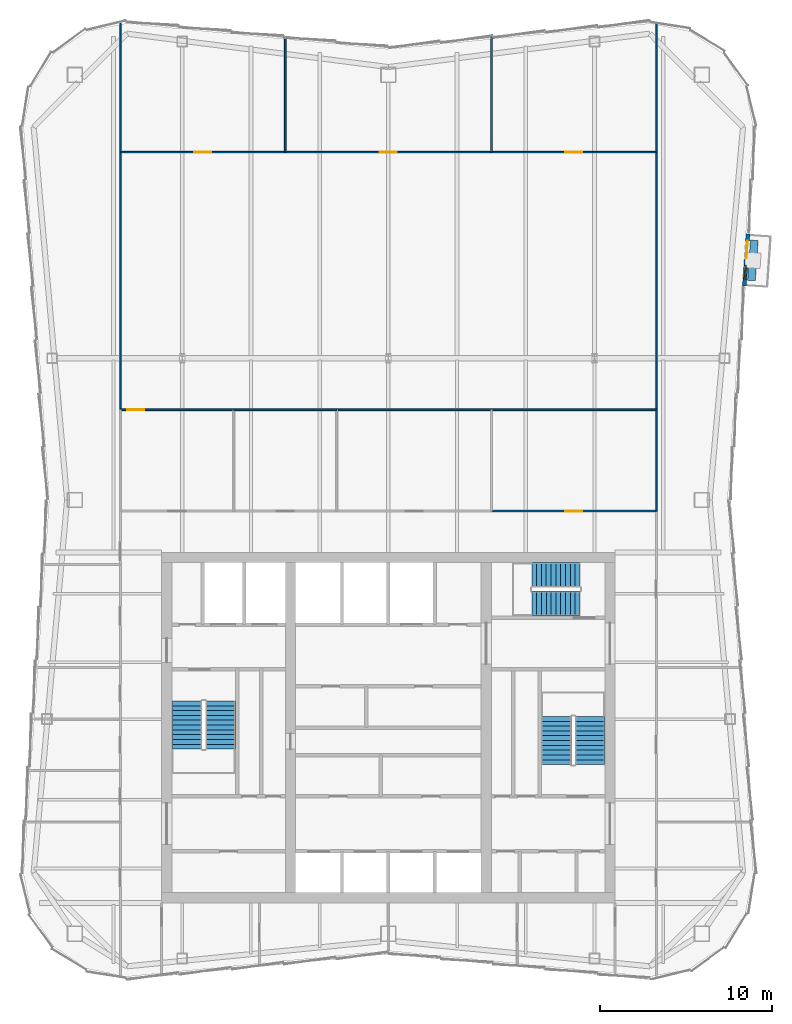
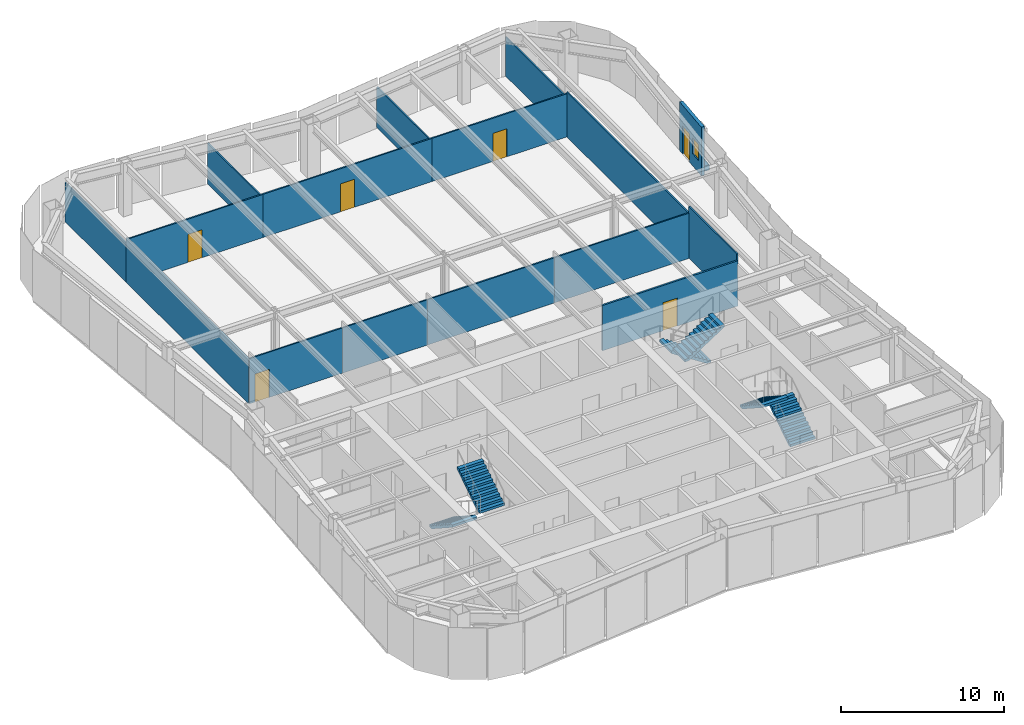
# One storey, part 8 of 10: 17 walls, 6 doors, 6 stair flights, 1 window, 7 openings, 3 elements without a shape of their own.
"""IFC4 building model written with IfcOpenShell, lengths in metres."""

from ifc_helpers import new_model, si_unit, direction, frame, frame_2d, origin, place, context, subcontext, project, spatial, polyline, rectangle, outline, extrude, material, layer, layer_set, type_object, element, fill, aggregate, save


model = new_model("IFC4")

# Units and contexts
model_context = context("Model", 3, precision=1e-05, world=origin(), true_north=direction((0.0, 1.0)))
body_context = subcontext(model_context, "Body", "Model", "MODEL_VIEW")
ifc_project = project(units=[si_unit("LENGTHUNIT", "METRE"), si_unit("AREAUNIT", "SQUARE_METRE"), si_unit("VOLUMEUNIT", "CUBIC_METRE"), si_unit("PLANEANGLEUNIT", "RADIAN"), si_unit("MASSUNIT", "GRAM", prefix="KILO")], contexts=[model_context])

# Site, building, storey
site_placement = place(None, origin())
site = spatial("IfcSite", under=ifc_project, at=site_placement, CompositionType="ELEMENT")
building_placement = place(site_placement, origin())
building = spatial("IfcBuilding", under=site, at=building_placement, Name="Verdant Reach Tower", CompositionType="ELEMENT")
storey_placement = place(building_placement, frame((0.0, 0.0, 322.0)))
storey = spatial("IfcBuildingStorey", under=building, at=storey_placement, Name="L74", CompositionType="ELEMENT", Elevation=322.0)

# Wall, openings, door, window
ifc_material_1 = material(Name="Insulated bronze aluminium panel wall", Category="aluminium")
ifc_layer_1 = layer(ifc_material_1, 0.219970703125)
ifc_layer_set_1 = layer_set([ifc_layer_1], Name="EN-INFILL WALL")
wall_type_1 = type_object("IfcWallType", Name="EN-INFILL WALL", PredefinedType="SOLIDWALL", material=ifc_layer_set_1)
wall_1_placement = place(storey_placement, frame((20.724365234375, 53.70556640625, 0.0), z_axis=(0.0, 0.0, 1.0), x_axis=(0.068802091615, 0.997630328423, 0.0)))
wall_1 = element("IfcWall", 1, at=wall_1_placement, inside=storey, type_object=wall_type_1, Name="External infill wall, balcony bay 1, L74", PredefinedType="SOLIDWALL", context=body_context, shape_type="SweptSolid", body=[
    extrude(rectangle(XDim=3.044677734375, YDim=0.22998046875, at=frame_2d((1.5224609375, 0.0))), origin(), (0.0, 0.0, 1.0), 3.64990234375),
])
opening_1_placement = place(wall_1_placement, frame((1.629638671875, 0.0, 0.0)))
opening_1 = element("IfcOpeningElement", 2, at=opening_1_placement, cuts=wall_1, Name="Opening BD1", PredefinedType="OPENING", context=body_context, shape_type="SweptSolid", body=[
    extrude(rectangle(XDim=1.0, YDim=2.10009765625, at=frame_2d((0.5, 1.050048828125))), frame((0.0, 0.125, 0.0), z_axis=(0.0, -1.0, 0.0), x_axis=(1.0, 0.0, 0.0)), (0.0, 0.0, 1.0), 0.25),
])
opening_2_placement = place(wall_1_placement, frame((0.414794921875, 0.0, 0.89990234375)))
opening_2 = element("IfcOpeningElement", 3, at=opening_2_placement, cuts=wall_1, Name="Opening BW1", PredefinedType="OPENING", context=body_context, shape_type="SweptSolid", body=[
    extrude(rectangle(XDim=0.800048828125, YDim=1.199951171875, at=frame_2d((0.39990234375, 0.60009765625))), frame((0.0, 0.125, 0.0), z_axis=(0.0, -1.0, 0.0), x_axis=(1.0, 0.0, 0.0)), (0.0, 0.0, 1.0), 0.25),
])
ifc_material_2 = material(Name="Aluminium framed glazed door", Category="aluminium")
door_type_1 = type_object("IfcDoorType", Name="EN-DOOR BALCONY", OperationType="NOTDEFINED", PredefinedType="DOOR", material=ifc_material_2)
door_1_placement = place(opening_1_placement, origin())
door_1 = element("IfcDoor", 4, at=door_1_placement, inside=storey, type_object=door_type_1, Name="Balcony door 1, L74", OperationType="SINGLE_SWING_RIGHT", OverallHeight=2.10009765625, OverallWidth=1.0, PredefinedType="DOOR", context=body_context, shape_type="SweptSolid", body=[
    extrude(rectangle(XDim=1.0, YDim=2.10009765625, at=frame_2d((0.5, 1.050048828125))), frame((0.0, 0.02490234375, 0.0), z_axis=(0.0, -1.0, 0.0), x_axis=(1.0, 0.0, 0.0)), (0.0, 0.0, 1.0), 0.050048828125),
])
fill(opening_1, door_1)
ifc_material_3 = material(Name="Aluminium framed glazing", Category="aluminium")
window_type = type_object("IfcWindowType", Name="EN-WINDOW BALCONY", PartitioningType="SINGLE_PANEL", PredefinedType="WINDOW", material=ifc_material_3)
window_placement = place(opening_2_placement, origin())
window = element("IfcWindow", 5, at=window_placement, inside=storey, type_object=window_type, Name="Balcony window 1, L74", OverallHeight=1.199951171875, OverallWidth=0.800048828125, PartitioningType="SINGLE_PANEL", PredefinedType="WINDOW", context=body_context, shape_type="SweptSolid", body=[
    extrude(rectangle(XDim=0.800048828125, YDim=1.199951171875, at=frame_2d((0.39990234375, 0.60009765625))), frame((0.0, 0.030029296875, 0.0), z_axis=(0.0, -1.0, 0.0), x_axis=(1.0, 0.0, 0.0)), (0.0, 0.0, 1.0), 0.06005859375),
])
fill(opening_2, window)

# Walls
ifc_material_4 = material(Name="Precast concrete C30/37", Category="concrete")
ifc_layer_2 = layer(ifc_material_4, 0.449951171875)
ifc_layer_set_2 = layer_set([ifc_layer_2], Name="EN-PLANTER")
wall_type_2 = type_object("IfcWallType", Name="EN-PLANTER", PredefinedType="USERDEFINED", material=ifc_layer_set_2)
wall_2_placement = place(storey_placement, frame((21.137451171875, 54.02783203125, 0.0), z_axis=(0.0, 0.0, 1.0), x_axis=(0.068827106414, 0.997628602949, 0.0)))
element("IfcWall", 6, at=wall_2_placement, inside=storey, type_object=wall_type_2, Name="Balcony planter 1, L74", ObjectType="PLANTER", PredefinedType="USERDEFINED", context=body_context, shape_type="SweptSolid", body=[
    extrude(rectangle(XDim=2.3447265625, YDim=0.449951171875, at=frame_2d((1.17236328125, 0.0))), origin(), (0.0, 0.0, 1.0), 0.39990234375),
])
ifc_material_5 = material(Name="Gypsum board on steel studs", Category="steel")
ifc_layer_3 = layer(ifc_material_5, 0.10009765625)
ifc_layer_set_3 = layer_set([ifc_layer_3], Name="FL-W1 Partition 100")
wall_type_3 = type_object("IfcWallType", Name="FL-W1 Partition 100", PredefinedType="PARTITIONING", material=ifc_layer_set_3)
wall_3_placement = place(storey_placement, frame((-15.60009765625, 46.5, 0.0), z_axis=(0.0, 0.0, 1.0), x_axis=(0.0, 1.0, 0.0)))
element("IfcWall", 7, at=wall_3_placement, inside=storey, type_object=wall_type_3, Name="Partition 74.22", PredefinedType="PARTITIONING", context=body_context, shape_type="SweptSolid", body=[
    extrude(rectangle(XDim=15.0, YDim=0.10009765625, at=frame_2d((7.5, 0.0))), origin(), (0.0, 0.0, 1.0), 3.35009765625),
])
wall_4_placement = place(storey_placement, frame((-15.60009765625, 61.5, 0.0), z_axis=(0.0, 0.0, 1.0), x_axis=(0.0, 1.0, 0.0)))
element("IfcWall", 8, at=wall_4_placement, inside=storey, type_object=wall_type_3, Name="Partition 74.23", PredefinedType="PARTITIONING", context=body_context, shape_type="SweptSolid", body=[
    extrude(rectangle(XDim=7.510498046875, YDim=0.10009765625, at=frame_2d((3.75537109375, 0.0))), origin(), (0.0, 0.0, 1.0), 2.929931640625),
])
wall_5_placement = place(storey_placement, frame((15.60009765625, 46.5, 0.0), z_axis=(0.0, 0.0, 1.0), x_axis=(0.0, -1.0, 0.0)))
element("IfcWall", 9, at=wall_5_placement, inside=storey, type_object=wall_type_3, Name="Partition 74.26", PredefinedType="PARTITIONING", context=body_context, shape_type="SweptSolid", body=[
    extrude(rectangle(XDim=5.89990234375, YDim=0.10009765625, at=frame_2d((2.949951171875, 0.0))), origin(), (0.0, 0.0, 1.0), 3.8701171875),
])
wall_6_placement = place(storey_placement, frame((15.60009765625, 61.5, 0.0), z_axis=(0.0, 0.0, 1.0), x_axis=(0.0, -1.0, 0.0)))
element("IfcWall", 10, at=wall_6_placement, inside=storey, type_object=wall_type_3, Name="Partition 74.27", PredefinedType="PARTITIONING", context=body_context, shape_type="SweptSolid", body=[
    extrude(rectangle(XDim=15.0, YDim=0.10009765625, at=frame_2d((7.5, 0.0))), origin(), (0.0, 0.0, 1.0), 3.35009765625),
])
wall_7_placement = place(storey_placement, frame((15.60009765625, 69.010498046875, 0.0), z_axis=(0.0, 0.0, 1.0), x_axis=(0.0, -1.0, 0.0)))
element("IfcWall", 11, at=wall_7_placement, inside=storey, type_object=wall_type_3, Name="Partition 74.28", PredefinedType="PARTITIONING", context=body_context, shape_type="SweptSolid", body=[
    extrude(rectangle(XDim=7.510498046875, YDim=0.10009765625, at=frame_2d((3.75537109375, 0.0))), origin(), (0.0, 0.0, 1.0), 2.929931640625),
])

# Wall, opening, door
wall_8_placement = place(storey_placement, frame((-15.60009765625, 46.5, 0.0), z_axis=(0.0, 0.0, 1.0), x_axis=(1.0, 0.0, 0.0)))
wall_8 = element("IfcWall", 12, at=wall_8_placement, inside=storey, type_object=wall_type_3, Name="Partition 74.33", PredefinedType="PARTITIONING", context=body_context, shape_type="SweptSolid", body=[
    extrude(rectangle(XDim=6.60400390625, YDim=0.10009765625, at=frame_2d((3.302001953125, 0.0))), origin(), (0.0, 0.0, 1.0), 3.389892578125),
])
opening_3_placement = place(wall_8_placement, frame((0.402099609375, 0.0, 0.0)))
opening_3 = element("IfcOpeningElement", 13, at=opening_3_placement, cuts=wall_8, Name="Opening D3", PredefinedType="OPENING", context=body_context, shape_type="SweptSolid", body=[
    extrude(rectangle(XDim=1.0, YDim=2.10009765625, at=frame_2d((0.5, 1.050048828125))), frame((0.0, 0.06005859375, 0.0), z_axis=(0.0, -1.0, 0.0), x_axis=(1.0, 0.0, 0.0)), (0.0, 0.0, 1.0), 0.1201171875),
])
ifc_material_6 = material(Name="Painted timber door leaf", Category="wood")
door_type_2 = type_object("IfcDoorType", Name="FL-D3 Door 1000x2100", OperationType="NOTDEFINED", PredefinedType="DOOR", material=ifc_material_6)
door_2_placement = place(opening_3_placement, origin())
door_2 = element("IfcDoor", 14, at=door_2_placement, inside=storey, type_object=door_type_2, Name="Door 74-018", OperationType="SINGLE_SWING_LEFT", OverallHeight=2.10009765625, OverallWidth=1.0, PredefinedType="DOOR", context=body_context, shape_type="SweptSolid", body=[
    extrude(rectangle(XDim=1.0, YDim=2.10009765625, at=frame_2d((0.5, 1.050048828125))), frame((0.0, 0.02490234375, 0.0), z_axis=(0.0, -1.0, 0.0), x_axis=(1.0, 0.0, 0.0)), (0.0, 0.0, 1.0), 0.050048828125),
])
fill(opening_3, door_2)

# Walls
wall_9_placement = place(storey_placement, frame((-2.99609375, 46.5, 0.0), z_axis=(0.0, 0.0, 1.0), x_axis=(-1.0, 0.0, 0.0)))
element("IfcWall", 15, at=wall_9_placement, inside=storey, type_object=wall_type_3, Name="Partition 74.35", PredefinedType="PARTITIONING", context=body_context, shape_type="SweptSolid", body=[
    extrude(rectangle(XDim=6.0078125, YDim=0.10009765625, at=frame_2d((3.00390625, 0.0))), origin(), (0.0, 0.0, 1.0), 3.389892578125),
])
wall_10_placement = place(storey_placement, frame((6.00390625, 46.5, 0.0), z_axis=(0.0, 0.0, 1.0), x_axis=(-1.0, 0.0, 0.0)))
element("IfcWall", 16, at=wall_10_placement, inside=storey, type_object=wall_type_3, Name="Partition 74.37", PredefinedType="PARTITIONING", context=body_context, shape_type="SweptSolid", body=[
    extrude(rectangle(XDim=9.0078125, YDim=0.10009765625, at=frame_2d((4.50390625, 0.0))), origin(), (0.0, 0.0, 1.0), 3.389892578125),
])
wall_11_placement = place(storey_placement, frame((15.60009765625, 46.5, 0.0), z_axis=(0.0, 0.0, 1.0), x_axis=(-1.0, 0.0, 0.0)))
element("IfcWall", 17, at=wall_11_placement, inside=storey, type_object=wall_type_3, Name="Partition 74.38", PredefinedType="PARTITIONING", context=body_context, shape_type="SweptSolid", body=[
    extrude(rectangle(XDim=9.60400390625, YDim=0.10009765625, at=frame_2d((4.802001953125, 0.0))), origin(), (0.0, 0.0, 1.0), 3.389892578125),
])

# Wall, opening, door
wall_12_placement = place(storey_placement, frame((-15.60009765625, 61.5, 0.0), z_axis=(0.0, 0.0, 1.0), x_axis=(1.0, 0.0, 0.0)))
wall_12 = element("IfcWall", 18, at=wall_12_placement, inside=storey, type_object=wall_type_3, Name="Partition 74.39", PredefinedType="PARTITIONING", context=body_context, shape_type="SweptSolid", body=[
    extrude(rectangle(XDim=9.60009765625, YDim=0.10009765625, at=frame_2d((4.800048828125, 0.0))), origin(), (0.0, 0.0, 1.0), 3.239990234375),
])
opening_4_placement = place(wall_12_placement, frame((4.300048828125, 0.0, 0.0)))
opening_4 = element("IfcOpeningElement", 19, at=opening_4_placement, cuts=wall_12, Name="Opening D3", PredefinedType="OPENING", context=body_context, shape_type="SweptSolid", body=[
    extrude(rectangle(XDim=1.0, YDim=2.10009765625, at=frame_2d((0.5, 1.050048828125))), frame((0.0, 0.06005859375, 0.0), z_axis=(0.0, -1.0, 0.0), x_axis=(1.0, 0.0, 0.0)), (0.0, 0.0, 1.0), 0.1201171875),
])
door_3_placement = place(opening_4_placement, origin())
door_3 = element("IfcDoor", 20, at=door_3_placement, inside=storey, type_object=door_type_2, Name="Door 74-019", OperationType="SINGLE_SWING_LEFT", OverallHeight=2.10009765625, OverallWidth=1.0, PredefinedType="DOOR", context=body_context, shape_type="SweptSolid", body=[
    extrude(rectangle(XDim=1.0, YDim=2.10009765625, at=frame_2d((0.5, 1.050048828125))), frame((0.0, 0.02490234375, 0.0), z_axis=(0.0, -1.0, 0.0), x_axis=(1.0, 0.0, 0.0)), (0.0, 0.0, 1.0), 0.050048828125),
])
fill(opening_4, door_3)

wall_13_placement = place(storey_placement, frame((-6.0, 61.5, 0.0), z_axis=(0.0, 0.0, 1.0), x_axis=(1.0, 0.0, 0.0)))
wall_13 = element("IfcWall", 21, at=wall_13_placement, inside=storey, type_object=wall_type_3, Name="Partition 74.40", PredefinedType="PARTITIONING", context=body_context, shape_type="SweptSolid", body=[
    extrude(rectangle(XDim=12.0, YDim=0.10009765625, at=frame_2d((6.0, 0.0))), origin(), (0.0, 0.0, 1.0), 3.239990234375),
])
opening_5_placement = place(wall_13_placement, frame((5.5, 0.0, 0.0)))
opening_5 = element("IfcOpeningElement", 22, at=opening_5_placement, cuts=wall_13, Name="Opening D3", PredefinedType="OPENING", context=body_context, shape_type="SweptSolid", body=[
    extrude(rectangle(XDim=1.0, YDim=2.10009765625, at=frame_2d((0.5, 1.050048828125))), frame((0.0, 0.06005859375, 0.0), z_axis=(0.0, -1.0, 0.0), x_axis=(1.0, 0.0, 0.0)), (0.0, 0.0, 1.0), 0.1201171875),
])
door_4_placement = place(opening_5_placement, origin())
door_4 = element("IfcDoor", 23, at=door_4_placement, inside=storey, type_object=door_type_2, Name="Door 74-020", OperationType="SINGLE_SWING_RIGHT", OverallHeight=2.10009765625, OverallWidth=1.0, PredefinedType="DOOR", context=body_context, shape_type="SweptSolid", body=[
    extrude(rectangle(XDim=1.0, YDim=2.10009765625, at=frame_2d((0.5, 1.050048828125))), frame((0.0, 0.02490234375, 0.0), z_axis=(0.0, -1.0, 0.0), x_axis=(1.0, 0.0, 0.0)), (0.0, 0.0, 1.0), 0.050048828125),
])
fill(opening_5, door_4)

wall_14_placement = place(storey_placement, frame((6.0, 61.5, 0.0), z_axis=(0.0, 0.0, 1.0), x_axis=(1.0, 0.0, 0.0)))
wall_14 = element("IfcWall", 24, at=wall_14_placement, inside=storey, type_object=wall_type_3, Name="Partition 74.41", PredefinedType="PARTITIONING", context=body_context, shape_type="SweptSolid", body=[
    extrude(rectangle(XDim=9.60009765625, YDim=0.10009765625, at=frame_2d((4.800048828125, 0.0))), origin(), (0.0, 0.0, 1.0), 3.239990234375),
])
opening_6_placement = place(wall_14_placement, frame((4.300048828125, 0.0, 0.0)))
opening_6 = element("IfcOpeningElement", 25, at=opening_6_placement, cuts=wall_14, Name="Opening D3", PredefinedType="OPENING", context=body_context, shape_type="SweptSolid", body=[
    extrude(rectangle(XDim=1.0, YDim=2.10009765625, at=frame_2d((0.5, 1.050048828125))), frame((0.0, 0.06005859375, 0.0), z_axis=(0.0, -1.0, 0.0), x_axis=(1.0, 0.0, 0.0)), (0.0, 0.0, 1.0), 0.1201171875),
])
door_5_placement = place(opening_6_placement, origin())
door_5 = element("IfcDoor", 26, at=door_5_placement, inside=storey, type_object=door_type_2, Name="Door 74-021", OperationType="SINGLE_SWING_LEFT", OverallHeight=2.10009765625, OverallWidth=1.0, PredefinedType="DOOR", context=body_context, shape_type="SweptSolid", body=[
    extrude(rectangle(XDim=1.0, YDim=2.10009765625, at=frame_2d((0.5, 1.050048828125))), frame((0.0, 0.02490234375, 0.0), z_axis=(0.0, -1.0, 0.0), x_axis=(1.0, 0.0, 0.0)), (0.0, 0.0, 1.0), 0.050048828125),
])
fill(opening_6, door_5)

# Walls
for number, where, z_axis, x_axis, name in (
    (27, (-6.0, 61.5, 0.0), (0.0, 0.0, 1.0), (0.0, 1.0, 0.0), "Partition 74.42"),
    (28, (6.0, 61.5, 0.0), (0.0, 0.0, 1.0), (0.0, 1.0, 0.0), "Partition 74.43"),
):
    element("IfcWall", number, at=place(storey_placement, frame(where, z_axis=z_axis, x_axis=x_axis)), inside=storey, type_object=wall_type_3, Name=name, PredefinedType="PARTITIONING", context=body_context, shape_type="SweptSolid", body=[
        extrude(rectangle(XDim=6.670166015625, YDim=0.10009765625, at=frame_2d((3.3349609375, 0.0))), origin(), (0.0, 0.0, 1.0), 3.0400390625),
    ])

# Wall, opening, door
ifc_material_7 = material(Name="Gypsum board on steel studs, fire rated", Category="steel")
ifc_layer_4 = layer(ifc_material_7, 0.125)
ifc_layer_set_4 = layer_set([ifc_layer_4], Name="FL-W2 Corridor wall 125")
wall_type_4 = type_object("IfcWallType", Name="FL-W2 Corridor wall 125", PredefinedType="PARTITIONING", material=ifc_layer_set_4)
wall_15_placement = place(storey_placement, frame((6.0, 40.60009765625, 0.0), z_axis=(0.0, 0.0, 1.0), x_axis=(1.0, 0.0, 0.0)))
wall_15 = element("IfcWall", 29, at=wall_15_placement, inside=storey, type_object=wall_type_4, Name="Partition 74.15", PredefinedType="PARTITIONING", context=body_context, shape_type="SweptSolid", body=[
    extrude(rectangle(XDim=9.60009765625, YDim=0.125, at=frame_2d((4.800048828125, 0.0))), origin(), (0.0, 0.0, 1.0), 3.389892578125),
])
opening_7_placement = place(wall_15_placement, frame((4.300048828125, 0.0, 0.0)))
opening_7 = element("IfcOpeningElement", 30, at=opening_7_placement, cuts=wall_15, Name="Opening D2", PredefinedType="OPENING", context=body_context, shape_type="SweptSolid", body=[
    extrude(rectangle(XDim=1.0, YDim=2.10009765625, at=frame_2d((0.5, 1.050048828125))), frame((0.0, 0.072509765625, 0.0), z_axis=(0.0, -1.0, 0.0), x_axis=(1.0, 0.0, 0.0)), (0.0, 0.0, 1.0), 0.14501953125),
])
ifc_material_8 = material(Name="Timber door leaf, fire rated", Category="wood")
door_type_3 = type_object("IfcDoorType", Name="FL-D2 Entrance door 1000x2100 FD30", OperationType="NOTDEFINED", PredefinedType="DOOR", material=ifc_material_8)
door_6_placement = place(opening_7_placement, origin())
door_6 = element("IfcDoor", 31, at=door_6_placement, inside=storey, type_object=door_type_3, Name="Door 74-015", OperationType="SINGLE_SWING_LEFT", OverallHeight=2.10009765625, OverallWidth=1.0, PredefinedType="DOOR", context=body_context, shape_type="SweptSolid", body=[
    extrude(rectangle(XDim=1.0, YDim=2.10009765625, at=frame_2d((0.5, 1.050048828125))), frame((0.0, 0.02490234375, 0.0), z_axis=(0.0, -1.0, 0.0), x_axis=(1.0, 0.0, 0.0)), (0.0, 0.0, 1.0), 0.050048828125),
])
fill(opening_7, door_6)

# Stair, stair flights
ifc_material_9 = material(Name="Concrete C40/50", Category="concrete")
stair_type = type_object("IfcStairType", Name="CO-STAIR", PredefinedType="HALF_TURN_STAIR", material=ifc_material_9)
stair_1_placement = place(storey_placement, origin())
stair_1 = element("IfcStair", 32, at=stair_1_placement, inside=storey, type_object=stair_type, Name="L74 Exit stair 1", PredefinedType="HALF_TURN_STAIR")
stair_flight_type = type_object("IfcStairFlightType", Name="CO-STAIR-FLIGHT", PredefinedType="STRAIGHT", material=ifc_material_9)
stair_flight_1_placement = place(storey_placement, frame((-11.72509765625, 29.550048828125, 0.0), z_axis=(0.0, 0.0, 1.0), x_axis=(0.0, -1.0, 0.0)))
stair_flight_1 = element("IfcStairFlight", 33, at=stair_flight_1_placement, type_object=stair_flight_type, Name="ST-1 flight 1", NumberOfRisers=11, NumberOfTreads=10, PredefinedType="STRAIGHT", RiserHeight=0.181818182, TreadLength=0.28, context=body_context, shape_type="SweptSolid", body=[
    extrude(outline(polyline([(0.0, 0.0), (0.0, 0.181884765625), (0.280029296875, 0.181884765625), (0.280029296875, 0.363525390625), (0.56005859375, 0.363525390625), (0.56005859375, 0.54541015625), (0.840087890625, 0.54541015625), (0.840087890625, 0.727294921875), (1.1201171875, 0.727294921875), (1.1201171875, 0.9091796875), (1.39990234375, 0.9091796875), (1.39990234375, 1.0908203125), (1.679931640625, 1.0908203125), (1.679931640625, 1.272705078125), (1.9599609375, 1.272705078125), (1.9599609375, 1.45458984375), (2.239990234375, 1.45458984375), (2.239990234375, 1.636474609375), (2.52001953125, 1.636474609375), (2.52001953125, 1.818115234375), (2.800048828125, 1.818115234375), (2.800048828125, 2.0), (2.800048828125, 1.639404296875), (0.275146484375, 0.0), (0.0, 0.0)])), frame((0.0, 0.875, 0.0), z_axis=(0.0, -1.0, 0.0), x_axis=(1.0, 0.0, 0.0)), (0.0, 0.0, 1.0), 1.75),
])
stair_flight_2_placement = place(storey_placement, frame((-9.77490234375, 26.75, 2.0), z_axis=(0.0, 0.0, 1.0), x_axis=(0.0, 1.0, 0.0)))
stair_flight_2 = element("IfcStairFlight", 34, at=stair_flight_2_placement, type_object=stair_flight_type, Name="ST-1 flight 2", NumberOfRisers=11, NumberOfTreads=10, PredefinedType="STRAIGHT", RiserHeight=0.181818182, TreadLength=0.28, context=body_context, shape_type="SweptSolid", body=[
    extrude(outline(polyline([(0.0, 0.0), (0.0, 0.181884765625), (0.280029296875, 0.181884765625), (0.280029296875, 0.363525390625), (0.56005859375, 0.363525390625), (0.56005859375, 0.54541015625), (0.840087890625, 0.54541015625), (0.840087890625, 0.727294921875), (1.1201171875, 0.727294921875), (1.1201171875, 0.9091796875), (1.39990234375, 0.9091796875), (1.39990234375, 1.0908203125), (1.679931640625, 1.0908203125), (1.679931640625, 1.272705078125), (1.9599609375, 1.272705078125), (1.9599609375, 1.45458984375), (2.239990234375, 1.45458984375), (2.239990234375, 1.636474609375), (2.52001953125, 1.636474609375), (2.52001953125, 1.818115234375), (2.800048828125, 1.818115234375), (2.800048828125, 2.0), (2.800048828125, 1.639404296875), (0.275146484375, 0.0), (0.0, 0.0)])), frame((0.0, 0.875, 0.0), z_axis=(0.0, -1.0, 0.0), x_axis=(1.0, 0.0, 0.0)), (0.0, 0.0, 1.0), 1.75),
])
aggregate(stair_1, [stair_flight_1, stair_flight_2])

stair_2_placement = place(storey_placement, origin())
stair_2 = element("IfcStair", 35, at=stair_2_placement, inside=storey, type_object=stair_type, Name="L74 Exit stair 2", PredefinedType="HALF_TURN_STAIR")
stair_flight_3_placement = place(storey_placement, frame((11.72509765625, 25.85009765625, 0.0), z_axis=(0.0, 0.0, 1.0), x_axis=(0.0, 1.0, 0.0)))
stair_flight_3 = element("IfcStairFlight", 36, at=stair_flight_3_placement, type_object=stair_flight_type, Name="ST-2 flight 1", NumberOfRisers=11, NumberOfTreads=10, PredefinedType="STRAIGHT", RiserHeight=0.181818182, TreadLength=0.28, context=body_context, shape_type="SweptSolid", body=[
    extrude(outline(polyline([(0.0, 0.0), (0.0, 0.181884765625), (0.280029296875, 0.181884765625), (0.280029296875, 0.363525390625), (0.56005859375, 0.363525390625), (0.56005859375, 0.54541015625), (0.840087890625, 0.54541015625), (0.840087890625, 0.727294921875), (1.1201171875, 0.727294921875), (1.1201171875, 0.9091796875), (1.39990234375, 0.9091796875), (1.39990234375, 1.0908203125), (1.679931640625, 1.0908203125), (1.679931640625, 1.272705078125), (1.9599609375, 1.272705078125), (1.9599609375, 1.45458984375), (2.239990234375, 1.45458984375), (2.239990234375, 1.636474609375), (2.52001953125, 1.636474609375), (2.52001953125, 1.818115234375), (2.800048828125, 1.818115234375), (2.800048828125, 2.0), (2.800048828125, 1.639404296875), (0.275146484375, 0.0), (0.0, 0.0)])), frame((0.0, 0.875, 0.0), z_axis=(0.0, -1.0, 0.0), x_axis=(1.0, 0.0, 0.0)), (0.0, 0.0, 1.0), 1.75),
])
stair_flight_4_placement = place(storey_placement, frame((9.77490234375, 28.64990234375, 2.0), z_axis=(0.0, 0.0, 1.0), x_axis=(0.0, -1.0, 0.0)))
stair_flight_4 = element("IfcStairFlight", 37, at=stair_flight_4_placement, type_object=stair_flight_type, Name="ST-2 flight 2", NumberOfRisers=11, NumberOfTreads=10, PredefinedType="STRAIGHT", RiserHeight=0.181818182, TreadLength=0.28, context=body_context, shape_type="SweptSolid", body=[
    extrude(outline(polyline([(0.0, 0.0), (0.0, 0.181884765625), (0.280029296875, 0.181884765625), (0.280029296875, 0.363525390625), (0.56005859375, 0.363525390625), (0.56005859375, 0.54541015625), (0.840087890625, 0.54541015625), (0.840087890625, 0.727294921875), (1.1201171875, 0.727294921875), (1.1201171875, 0.9091796875), (1.39990234375, 0.9091796875), (1.39990234375, 1.0908203125), (1.679931640625, 1.0908203125), (1.679931640625, 1.272705078125), (1.9599609375, 1.272705078125), (1.9599609375, 1.45458984375), (2.239990234375, 1.45458984375), (2.239990234375, 1.636474609375), (2.52001953125, 1.636474609375), (2.52001953125, 1.818115234375), (2.800048828125, 1.818115234375), (2.800048828125, 2.0), (2.800048828125, 1.639404296875), (0.275146484375, 0.0), (0.0, 0.0)])), frame((0.0, 0.875, 0.0), z_axis=(0.0, -1.0, 0.0), x_axis=(1.0, 0.0, 0.0)), (0.0, 0.0, 1.0), 1.75),
])
aggregate(stair_2, [stair_flight_3, stair_flight_4])

stair_3_placement = place(storey_placement, origin())
stair_3 = element("IfcStair", 38, at=stair_3_placement, inside=storey, type_object=stair_type, Name="L74 Exit stair 3", PredefinedType="HALF_TURN_STAIR")
stair_flight_5_placement = place(storey_placement, frame((11.14990234375, 36.875, 0.0), z_axis=(0.0, 0.0, 1.0), x_axis=(-1.0, 0.0, 0.0)))
stair_flight_5 = element("IfcStairFlight", 39, at=stair_flight_5_placement, type_object=stair_flight_type, Name="ST-3 flight 1", NumberOfRisers=11, NumberOfTreads=10, PredefinedType="STRAIGHT", RiserHeight=0.181818182, TreadLength=0.28, context=body_context, shape_type="SweptSolid", body=[
    extrude(outline(polyline([(0.0, 0.0), (0.0, 0.181884765625), (0.280029296875, 0.181884765625), (0.280029296875, 0.363525390625), (0.56005859375, 0.363525390625), (0.56005859375, 0.54541015625), (0.840087890625, 0.54541015625), (0.840087890625, 0.727294921875), (1.1201171875, 0.727294921875), (1.1201171875, 0.9091796875), (1.39990234375, 0.9091796875), (1.39990234375, 1.0908203125), (1.679931640625, 1.0908203125), (1.679931640625, 1.272705078125), (1.9599609375, 1.272705078125), (1.9599609375, 1.45458984375), (2.239990234375, 1.45458984375), (2.239990234375, 1.636474609375), (2.52001953125, 1.636474609375), (2.52001953125, 1.818115234375), (2.800048828125, 1.818115234375), (2.800048828125, 2.0), (2.800048828125, 1.639404296875), (0.275146484375, 0.0), (0.0, 0.0)])), frame((0.0, 0.72509765625, 0.0), z_axis=(0.0, -1.0, 0.0), x_axis=(1.0, 0.0, 0.0)), (0.0, 0.0, 1.0), 1.449951171875),
])
stair_flight_6_placement = place(storey_placement, frame((8.35009765625, 35.22509765625, 2.0), z_axis=(0.0, 0.0, 1.0), x_axis=(1.0, 0.0, 0.0)))
stair_flight_6 = element("IfcStairFlight", 40, at=stair_flight_6_placement, type_object=stair_flight_type, Name="ST-3 flight 2", NumberOfRisers=11, NumberOfTreads=10, PredefinedType="STRAIGHT", RiserHeight=0.181818182, TreadLength=0.28, context=body_context, shape_type="SweptSolid", body=[
    extrude(outline(polyline([(0.0, 0.0), (0.0, 0.181884765625), (0.280029296875, 0.181884765625), (0.280029296875, 0.363525390625), (0.56005859375, 0.363525390625), (0.56005859375, 0.54541015625), (0.840087890625, 0.54541015625), (0.840087890625, 0.727294921875), (1.1201171875, 0.727294921875), (1.1201171875, 0.9091796875), (1.39990234375, 0.9091796875), (1.39990234375, 1.0908203125), (1.679931640625, 1.0908203125), (1.679931640625, 1.272705078125), (1.9599609375, 1.272705078125), (1.9599609375, 1.45458984375), (2.239990234375, 1.45458984375), (2.239990234375, 1.636474609375), (2.52001953125, 1.636474609375), (2.52001953125, 1.818115234375), (2.800048828125, 1.818115234375), (2.800048828125, 2.0), (2.800048828125, 1.639404296875), (0.275146484375, 0.0), (0.0, 0.0)])), frame((0.0, 0.72509765625, 0.0), z_axis=(0.0, -1.0, 0.0), x_axis=(1.0, 0.0, 0.0)), (0.0, 0.0, 1.0), 1.449951171875),
])
aggregate(stair_3, [stair_flight_5, stair_flight_6])

save(model, "model.ifc")
